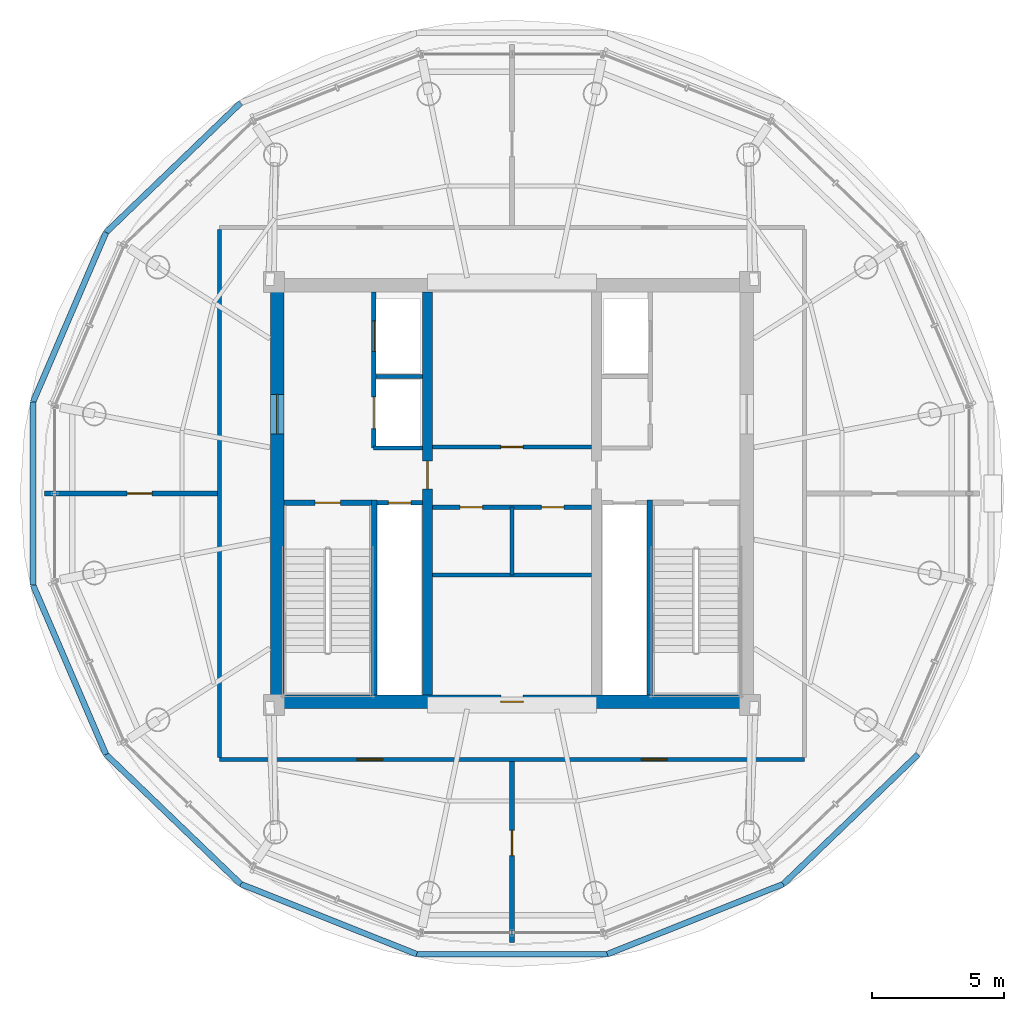
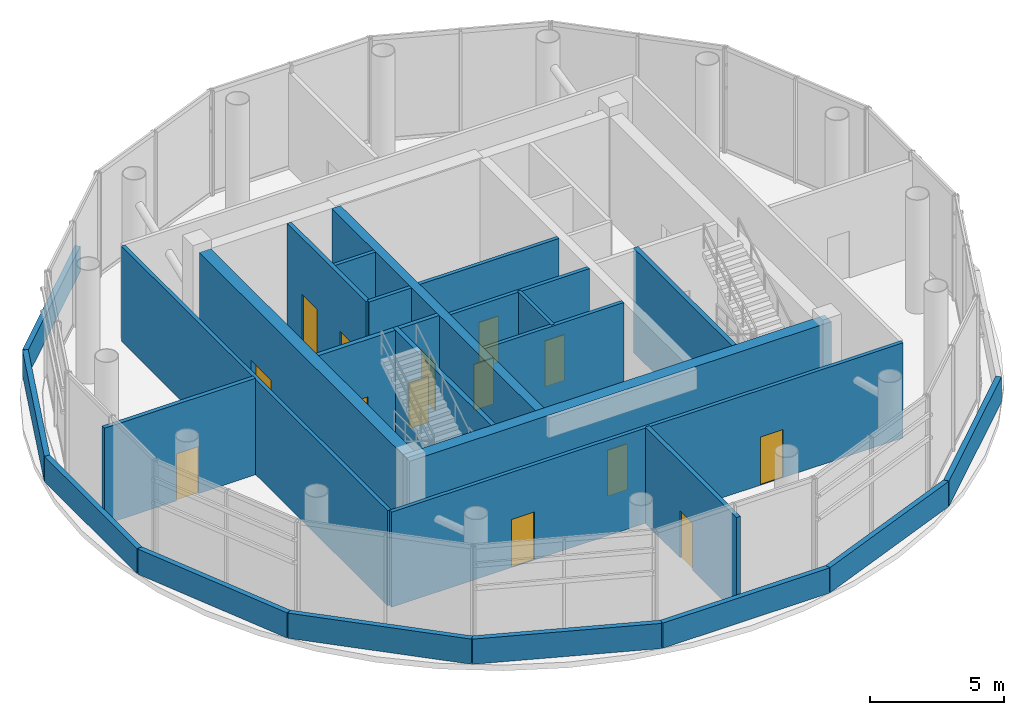
# One storey, part 11 of 15: 27 walls, 14 doors, 14 openings.
"""IFC4 building model written with IfcOpenShell, lengths in metres."""

import ifcopenshell
import ifcopenshell.guid

model = None  # the IFC model being written
_history = None  # IfcOwnerHistory: only IFC2X3 demands one
_inside = {}  # id of a spatial element -> (the spatial element, [elements in it])
_under = {}  # id of a project, library or spatial element -> (it, [spatial elements below it])
_declared = {}  # id of a project -> (the project, [libraries it declares])
_typed = {}  # id of a type object -> (the type object, [elements of that type])
_made_of = {}  # id of a material, layer set ... -> (it, [elements and type objects made of it])


def new_model(schema):
    """Start an empty IFC model of exactly this schema.

    Asked for "IFC4X3", IfcOpenShell would pick the latest addendum, in which some entities
    have other attributes; the version numbers below select the first issue.
    IFC2X3 requires an IfcOwnerHistory on every rooted entity: one is made here for all.
    """
    global model, _history
    if schema == "IFC4X3":
        model = ifcopenshell.file(schema_version=(4, 3, 0, 0))
    else:
        model = ifcopenshell.file(schema=schema)
    _inside.clear()
    _under.clear()
    _declared.clear()
    _typed.clear()
    _made_of.clear()
    _history = None
    if model.schema == "IFC2X3":
        org = make("IfcOrganization", Name="unknown")
        user = make(
            "IfcPersonAndOrganization",
            ThePerson=make("IfcPerson", FamilyName="unknown"),
            TheOrganization=org,
        )
        app = make(
            "IfcApplication",
            ApplicationDeveloper=org,
            Version="unknown",
            ApplicationFullName="unknown",
            ApplicationIdentifier="unknown",
        )
        _history = make(
            "IfcOwnerHistory",
            OwningUser=user,
            OwningApplication=app,
            ChangeAction="ADDED",
            CreationDate=0,
        )
    return model


def make(cls, **values):
    """One entity of the class cls with the attributes given. An attribute that is None is left unset."""
    return model.create_entity(
        cls, **{name: value for name, value in values.items() if value is not None}
    )


def rooted(cls, **values):
    """An entity with a GlobalId (a new one), such as an element, a storey or a relation."""
    return make(cls, GlobalId=ifcopenshell.guid.new(), OwnerHistory=_history, **values)


def si_unit(unit_type, name, prefix=None):
    """IfcSIUnit, for example si_unit("LENGTHUNIT", "METRE", prefix="MILLI")."""
    return make("IfcSIUnit", UnitType=unit_type, Prefix=prefix, Name=name)


def assignment(units):
    """IfcUnitAssignment: the units of a project."""
    return None if units is None else make("IfcUnitAssignment", Units=units)


def point(xyz):
    """IfcCartesianPoint."""
    return None if xyz is None else make("IfcCartesianPoint", Coordinates=xyz)


def direction(xyz):
    """IfcDirection."""
    return None if xyz is None else make("IfcDirection", DirectionRatios=xyz)


def frame(location, z_axis=None, x_axis=None):
    """IfcAxis2Placement3D, a coordinate frame: its origin and axes. An axis left out is left unset."""
    return make(
        "IfcAxis2Placement3D",
        Location=point(location),
        Axis=direction(z_axis),
        RefDirection=direction(x_axis),
    )


def frame_2d(location, x_axis=None):
    """IfcAxis2Placement2D, a coordinate frame in the plane: its origin and x axis."""
    return make(
        "IfcAxis2Placement2D", Location=point(location), RefDirection=direction(x_axis)
    )


def origin():
    """The frame at (0, 0, 0) with its axes left unset."""
    return frame((0.0, 0.0, 0.0))


def place(relative_to, where):
    """IfcLocalPlacement: puts the frame where relative to a parent placement (None: the world)."""
    return make(
        "IfcLocalPlacement", PlacementRelTo=relative_to, RelativePlacement=where
    )


def context(
    kind, dimensions, precision=None, world=None, true_north=None, identifier=None
):
    """IfcGeometricRepresentationContext, for example the 3D "Model" context."""
    return make(
        "IfcGeometricRepresentationContext",
        ContextIdentifier=identifier,
        ContextType=kind,
        CoordinateSpaceDimension=dimensions,
        Precision=precision,
        WorldCoordinateSystem=world,
        TrueNorth=true_north,
    )


def subcontext(parent, identifier, kind, view, scale=None):
    """IfcGeometricRepresentationSubContext, for example "Body" below "Model"."""
    return make(
        "IfcGeometricRepresentationSubContext",
        ContextIdentifier=identifier,
        ContextType=kind,
        ParentContext=parent,
        TargetScale=scale,
        TargetView=view,
    )


def project(units=None, contexts=None):
    """IfcProject with its units and contexts."""
    return rooted(
        "IfcProject",
        Name="project",
        RepresentationContexts=contexts,
        UnitsInContext=assignment(units),
    )


def spatial(cls, under=None, at=None, **own):
    """A site, building, storey or space (cls), placed at a placement, below another one or the project."""
    s = rooted(cls, ObjectPlacement=at, **own)
    if under is not None:
        _under.setdefault(under.id(), (under, []))[1].append(s)
    return s


def profile(cls, at=None, kind="AREA", **sizes):
    """A parametric profile (cls). Its sizes go by their IFC names, for example OverallWidth=200.0."""
    return make(cls, ProfileType=kind, Position=at, **sizes)


def rectangle(**sizes):
    """IfcRectangleProfileDef."""
    return profile("IfcRectangleProfileDef", **sizes)


def extrude(swept, where, along, depth):
    """IfcExtrudedAreaSolid: the profile swept, set in the frame where, extruded along a direction by depth."""
    return make(
        "IfcExtrudedAreaSolid",
        SweptArea=swept,
        Position=where,
        ExtrudedDirection=direction(along),
        Depth=depth,
    )


def shape(context_of_items, identifier, shape_type, items):
    """IfcShapeRepresentation: the items that make up one representation, for example the "Body"."""
    return make(
        "IfcShapeRepresentation",
        ContextOfItems=context_of_items,
        RepresentationIdentifier=identifier,
        RepresentationType=shape_type,
        Items=items,
    )


def source(mapping_origin, context_of_items, identifier, shape_type, items):
    """IfcRepresentationMap: a shape defined once, which mapped items show again and again."""
    return make(
        "IfcRepresentationMap",
        MappingOrigin=mapping_origin,
        MappedRepresentation=shape(context_of_items, identifier, shape_type, items),
    )


def transform(
    local_origin,
    x_axis=None,
    y_axis=None,
    z_axis=None,
    scale=None,
    scale2=None,
    scale3=None,
    uniform=True,
):
    """IfcCartesianTransformationOperator3D, or its non-uniform kind. x_axis, y_axis, z_axis: its Axis1, 2, 3."""
    if uniform:
        return make(
            "IfcCartesianTransformationOperator3D",
            Axis1=direction(x_axis),
            Axis2=direction(y_axis),
            LocalOrigin=point(local_origin),
            Scale=scale,
            Axis3=direction(z_axis),
        )
    return make(
        "IfcCartesianTransformationOperator3DnonUniform",
        Axis1=direction(x_axis),
        Axis2=direction(y_axis),
        LocalOrigin=point(local_origin),
        Scale=scale,
        Axis3=direction(z_axis),
        Scale2=scale2,
        Scale3=scale3,
    )


def mapped(mapping_source, mapping_target):
    """IfcMappedItem: shows the shape of a source again, moved by a transform."""
    return make(
        "IfcMappedItem", MappingSource=mapping_source, MappingTarget=mapping_target
    )


def material(Name=None, Category=None):
    """IfcMaterial."""
    return make("IfcMaterial", Name=Name, Category=Category)


def layer(
    of_material, thickness, ventilated=None, Name=None, Category=None, Priority=None
):
    """IfcMaterialLayer: one layer of a wall or slab, of a material (None: an air gap)."""
    return make(
        "IfcMaterialLayer",
        Material=of_material,
        LayerThickness=thickness,
        IsVentilated=ventilated,
        Name=Name,
        Category=Category,
        Priority=Priority,
    )


def layer_set(layers, Name=None):
    """IfcMaterialLayerSet."""
    return make("IfcMaterialLayerSet", MaterialLayers=layers, LayerSetName=Name)


def made_of(thing, what):
    """Note that an element or type object is made of a material, layer set ...; save() writes the relation."""
    if what is not None:
        _made_of.setdefault(what.id(), (what, []))[1].append(thing)
    return thing


def type_object(cls, material=None, **own):
    """A type object (cls), such as IfcWallType, which elements share."""
    return made_of(rooted(cls, **own), material)


def element(
    cls,
    number,
    at=None,
    inside=None,
    cuts=None,
    type_object=None,
    material=None,
    context=None,
    identifier="Body",
    shape_type=None,
    held_by="IfcProductDefinitionShape",
    body=None,
    shapes=None,
    **own,
):
    """One element of the class cls, such as IfcWall. Its Tag is "e" and its number.

    at: its placement. inside: the storey or other place that contains it. cuts: it is an
    opening in that element (IfcRelVoidsElement). A single representation is given by context,
    identifier, shape_type and body (its items); several are given by shapes. held_by: the class
    of the entity that holds the representations. save() writes the other relations.
    """
    e = rooted(cls, Tag="e%d" % number, ObjectPlacement=at, **own)
    if body is not None:
        shapes = [shape(context, identifier, shape_type, body)]
    if shapes is not None:
        e.Representation = make(held_by, Representations=shapes)
    if inside is not None:
        _inside.setdefault(inside.id(), (inside, []))[1].append(e)
    if cuts is not None:
        rooted(
            "IfcRelVoidsElement", RelatingBuildingElement=cuts, RelatedOpeningElement=e
        )
    if type_object is not None:
        _typed.setdefault(type_object.id(), (type_object, []))[1].append(e)
    return made_of(e, material)


def fill(opening, filler):
    """IfcRelFillsElement: the door or window that sits in an opening."""
    return rooted(
        "IfcRelFillsElement",
        RelatingOpeningElement=opening,
        RelatedBuildingElement=filler,
    )


def aggregate(whole, parts):
    """IfcRelAggregates: a whole, such as a stair, and the parts it consists of."""
    return rooted("IfcRelAggregates", RelatingObject=whole, RelatedObjects=parts)


def save(model, path):
    """Write the relations noted so far, then the file.

    IfcRelAggregates (storeys below a building ...), IfcRelContainedInSpatialStructure (elements
    in a storey), IfcRelDefinesByType, IfcRelAssociatesMaterial and IfcRelDeclares: one each for
    every whole, place, type object, material and project.
    """
    for whole, parts in _under.values():
        aggregate(whole, parts)
    for where, things in _inside.values():
        rooted(
            "IfcRelContainedInSpatialStructure",
            RelatedElements=things,
            RelatingStructure=where,
        )
    for kind, things in _typed.values():
        rooted("IfcRelDefinesByType", RelatedObjects=things, RelatingType=kind)
    for what, things in _made_of.values():
        rooted("IfcRelAssociatesMaterial", RelatedObjects=things, RelatingMaterial=what)
    for by, libraries in _declared.values():
        rooted("IfcRelDeclares", RelatingContext=by, RelatedDefinitions=libraries)
    model.write(path)


model = new_model("IFC4")

# Units and contexts
model_context = context("Model", 3, precision=1e-05, world=origin(), true_north=direction((-0.2419218956, 0.970295726276)))
body_context = subcontext(model_context, "Body", "Model", "MODEL_VIEW")
ifc_project = project(units=[si_unit("LENGTHUNIT", "METRE"), si_unit("AREAUNIT", "SQUARE_METRE"), si_unit("VOLUMEUNIT", "CUBIC_METRE"), si_unit("PLANEANGLEUNIT", "RADIAN"), si_unit("MASSUNIT", "GRAM", prefix="KILO")], contexts=[model_context])

# Site, building, storey
site_placement = place(None, origin())
site = spatial("IfcSite", under=ifc_project, at=site_placement, CompositionType="ELEMENT")
building_placement = place(site_placement, origin())
building = spatial("IfcBuilding", under=site, at=building_placement, Name="Cobrevalo Terracotta Tower", CompositionType="ELEMENT")
storey_placement = place(building_placement, frame((0.0, 0.0, 306.10009765625)))
storey = spatial("IfcBuildingStorey", under=building, at=storey_placement, Name="L80", CompositionType="ELEMENT", Elevation=306.10009765625)

# Wall, opening, door
ifc_material_1 = material(Name="Concrete C50", Category="concrete")
ifc_layer_1 = layer(ifc_material_1, 0.5)
ifc_layer_set_1 = layer_set([ifc_layer_1], Name="Concrete C50")
wall_type_1 = type_object("IfcWallType", Name="Crown core shear wall 500 mm Concrete C50", PredefinedType="SHEAR", material=ifc_layer_set_1)
wall_1_placement = place(storey_placement, frame((28.875, 18.925048828125, 0.0), z_axis=(0.0, 0.0, 1.0), x_axis=(1.0, 0.0, 0.0)))
wall_1 = element("IfcWall", 1, at=wall_1_placement, inside=storey, type_object=wall_type_1, Name="L80 south core shear wall", PredefinedType="SHEAR", context=body_context, shape_type="SweptSolid", body=[
    extrude(rectangle(XDim=18.25, YDim=0.5, at=frame_2d((9.125, 0.0))), origin(), (0.0, 0.0, 1.0), 4.77978515625),
])
opening_1_placement = place(wall_1_placement, frame((8.699951171875, 0.0, 0.0)))
opening_1 = element("IfcOpeningElement", 2, at=opening_1_placement, cuts=wall_1, Name="Opening ID-22", PredefinedType="OPENING", context=body_context, shape_type="SweptSolid", body=[
    extrude(rectangle(XDim=0.85009765625, YDim=2.10009765625, at=frame_2d((0.425048828125, 1.050048828125))), frame((0.0, 0.260009765625, 0.0), z_axis=(0.0, -1.0, 0.0), x_axis=(1.0, 0.0, 0.0)), (0.0, 0.0, 1.0), 0.52001953125),
])
ifc_material_2 = material(Name="Powder-coated steel", Category="steel")
door_type_1 = type_object("IfcDoorType", Name="Riser shaft & meter closet fire access door 850x2100 EI 60", OperationType="NOTDEFINED", PredefinedType="DOOR", material=ifc_material_2)
shared_shape_1 = source(origin(), body_context, "Body", "SweptSolid", [
    extrude(rectangle(XDim=0.85009765625, YDim=2.10009765625, at=frame_2d((0.425048828125, 1.050048828125))), frame((0.0, 0.02490234375, 0.0), z_axis=(0.0, -1.0, 0.0), x_axis=(1.0, 0.0, 0.0)), (0.0, 0.0, 1.0), 0.050048828125),
])
door_1_placement = place(opening_1_placement, origin())
door_1 = element("IfcDoor", 3, at=door_1_placement, inside=storey, type_object=door_type_1, Name="L80 core south plant door Crown Smoke Extract Fan Plant", OperationType="SINGLE_SWING_RIGHT", OverallHeight=2.10009765625, OverallWidth=0.85009765625, PredefinedType="DOOR", context=body_context, shape_type="MappedRepresentation", body=[
    mapped(shared_shape_1, transform((0.0, 0.0, 0.0), scale=1.0)),
])
fill(opening_1, door_1)

wall_2_placement = place(storey_placement, frame((29.125, 19.175048828125, 0.0), z_axis=(0.0, 0.0, 1.0), x_axis=(0.0, 1.0, 0.0)))
wall_2 = element("IfcWall", 4, at=wall_2_placement, inside=storey, type_object=wall_type_1, Name="L80 west core shear wall", PredefinedType="SHEAR", context=body_context, shape_type="SweptSolid", body=[
    extrude(rectangle(XDim=15.25, YDim=0.5, at=frame_2d((7.625, 0.0))), origin(), (0.0, 0.0, 1.0), 4.77978515625),
])
opening_2_placement = place(wall_2_placement, frame((9.875, 0.0, 0.0)))
opening_2 = element("IfcOpeningElement", 5, at=opening_2_placement, cuts=wall_2, Name="Opening ID-14", PredefinedType="OPENING", context=body_context, shape_type="SweptSolid", body=[
    extrude(rectangle(XDim=1.5, YDim=2.199951171875, at=frame_2d((0.75, 1.10009765625))), frame((0.0, 0.260009765625, 0.0), z_axis=(0.0, -1.0, 0.0), x_axis=(1.0, 0.0, 0.0)), (0.0, 0.0, 1.0), 0.52001953125),
])
ifc_material_3 = material(Name="Galvanized fire-rated steel", Category="steel")
door_type_2 = type_object("IfcDoorType", Name="Core cross-lobby double fire door 1500x2200 EI 90", OperationType="NOTDEFINED", PredefinedType="DOOR", material=ifc_material_3)
shared_shape_2 = source(origin(), body_context, "Body", "SweptSolid", [
    extrude(rectangle(XDim=1.5, YDim=2.199951171875, at=frame_2d((0.75, 1.10009765625))), frame((0.0, 0.02490234375, 0.0), z_axis=(0.0, -1.0, 0.0), x_axis=(1.0, 0.0, 0.0)), (0.0, 0.0, 1.0), 0.050048828125),
])
door_2_placement = place(opening_2_placement, origin())
door_2 = element("IfcDoor", 6, at=door_2_placement, inside=storey, type_object=door_type_2, Name="L80 west firefighting lobby entrance door", OperationType="DOUBLE_DOOR_SINGLE_SWING", OverallHeight=2.199951171875, OverallWidth=1.5, PredefinedType="DOOR", context=body_context, shape_type="MappedRepresentation", body=[
    mapped(shared_shape_2, transform((0.0, 0.0, 0.0), scale=1.0)),
])
fill(opening_2, door_2)

# Walls
ifc_material_4 = material(Name="Gypsum board on steel stud", Category="steel")
ifc_layer_2 = layer(ifc_material_4, 0.159912109375)
ifc_layer_set_2 = layer_set([ifc_layer_2], Name="Gypsum board on steel stud")
wall_type_2 = type_object("IfcWallType", Name="Fire-rated corridor acoustic partition wall 160 mm", PredefinedType="PARTITIONING", material=ifc_layer_set_2)
wall_3_placement = place(storey_placement, frame((32.860107421875, 31.219970703125, 0.0), z_axis=(0.0, 0.0, 1.0), x_axis=(1.0, 0.0, 0.0)))
element("IfcWall", 7, at=wall_3_placement, inside=storey, type_object=wall_type_2, Name="L80 interior partition IW-L80-FF1-M", PredefinedType="PARTITIONING", context=body_context, shape_type="SweptSolid", body=[
    extrude(rectangle(XDim=1.75, YDim=0.159912109375, at=frame_2d((0.875, 0.0))), origin(), (0.0, 0.0, 1.0), 4.77978515625),
])
wall_4_placement = place(storey_placement, frame((32.77001953125, 28.52001953125, 0.0), z_axis=(0.0, 0.0, 1.0), x_axis=(1.0, 0.0, 0.0)))
element("IfcWall", 8, at=wall_4_placement, inside=storey, type_object=wall_type_2, Name="L80 interior partition IW-L80-FF1-S", PredefinedType="PARTITIONING", context=body_context, shape_type="SweptSolid", body=[
    extrude(rectangle(XDim=1.840087890625, YDim=0.159912109375, at=frame_2d((0.919921875, 0.0))), origin(), (0.0, 0.0, 1.0), 4.77978515625),
])

# Wall, opening, door
wall_5_placement = place(storey_placement, frame((34.989990234375, 28.56005859375, 0.0), z_axis=(0.0, 0.0, 1.0), x_axis=(1.0, 0.0, 0.0)))
wall_5 = element("IfcWall", 9, at=wall_5_placement, inside=storey, type_object=wall_type_2, Name="L80 interior partition IW-L80-LB-S", PredefinedType="PARTITIONING", context=body_context, shape_type="SweptSolid", body=[
    extrude(rectangle(XDim=6.02001953125, YDim=0.159912109375, at=frame_2d((3.010009765625, 0.0))), origin(), (0.0, 0.0, 1.0), 4.77978515625),
])
opening_3_placement = place(wall_5_placement, frame((2.5849609375, 0.0, 0.0)))
opening_3 = element("IfcOpeningElement", 10, at=opening_3_placement, cuts=wall_5, Name="Opening ID-22", PredefinedType="OPENING", context=body_context, shape_type="SweptSolid", body=[
    extrude(rectangle(XDim=0.85009765625, YDim=2.10009765625, at=frame_2d((0.425048828125, 1.050048828125))), frame((0.0, 0.08984375, 0.0), z_axis=(0.0, -1.0, 0.0), x_axis=(1.0, 0.0, 0.0)), (0.0, 0.0, 1.0), 0.179931640625),
])
door_3_placement = place(opening_3_placement, origin())
door_3 = element("IfcDoor", 11, at=door_3_placement, inside=storey, type_object=door_type_1, Name="L80 core service door Crown HV Switchroom Plant", OperationType="SINGLE_SWING_LEFT", OverallHeight=2.10009765625, OverallWidth=0.85009765625, PredefinedType="DOOR", context=body_context, shape_type="MappedRepresentation", body=[
    mapped(shared_shape_1, transform((0.0, 0.0, 0.0), scale=1.0)),
])
fill(opening_3, door_3)

# Wall, openings, doors
wall_6_placement = place(storey_placement, frame((34.989990234375, 26.280029296875, 0.0), z_axis=(0.0, 0.0, 1.0), x_axis=(1.0, 0.0, 0.0)))
wall_6 = element("IfcWall", 12, at=wall_6_placement, inside=storey, type_object=wall_type_2, Name="L80 interior partition IW-L80-MB-N", PredefinedType="PARTITIONING", context=body_context, shape_type="SweptSolid", body=[
    extrude(rectangle(XDim=6.02001953125, YDim=0.159912109375, at=frame_2d((3.010009765625, 0.0))), origin(), (0.0, 0.0, 1.0), 4.77978515625),
])
opening_4_placement = place(wall_6_placement, frame((1.044921875, 0.0, 0.0)))
opening_4 = element("IfcOpeningElement", 13, at=opening_4_placement, cuts=wall_6, Name="Opening ID-22", PredefinedType="OPENING", context=body_context, shape_type="SweptSolid", body=[
    extrude(rectangle(XDim=0.85009765625, YDim=2.10009765625, at=frame_2d((0.425048828125, 1.050048828125))), frame((0.0, 0.08984375, 0.0), z_axis=(0.0, -1.0, 0.0), x_axis=(1.0, 0.0, 0.0)), (0.0, 0.0, 1.0), 0.179931640625),
])
opening_5_placement = place(wall_6_placement, frame((4.125, 0.0, 0.0)))
opening_5 = element("IfcOpeningElement", 14, at=opening_5_placement, cuts=wall_6, Name="Opening ID-22", PredefinedType="OPENING", context=body_context, shape_type="SweptSolid", body=[
    extrude(rectangle(XDim=0.85009765625, YDim=2.10009765625, at=frame_2d((0.425048828125, 1.050048828125))), frame((0.0, 0.08984375, 0.0), z_axis=(0.0, -1.0, 0.0), x_axis=(1.0, 0.0, 0.0)), (0.0, 0.0, 1.0), 0.179931640625),
])
door_4_placement = place(opening_4_placement, frame((0.85009765625, 0.0, 0.0), z_axis=(0.0, 0.0, 1.0), x_axis=(-1.0, 0.0, 0.0)))
door_4 = element("IfcDoor", 15, at=door_4_placement, inside=storey, type_object=door_type_1, Name="L80 core room door Crown Chilled Water Pump Plant", OperationType="SINGLE_SWING_RIGHT", OverallHeight=2.10009765625, OverallWidth=0.85009765625, PredefinedType="DOOR", context=body_context, shape_type="MappedRepresentation", body=[
    mapped(shared_shape_1, transform((0.0, 0.0, 0.0), scale=1.0)),
])
fill(opening_4, door_4)
door_5_placement = place(opening_5_placement, frame((0.85009765625, 0.0, 0.0), z_axis=(0.0, 0.0, 1.0), x_axis=(-1.0, 0.0, 0.0)))
door_5 = element("IfcDoor", 16, at=door_5_placement, inside=storey, type_object=door_type_1, Name="L80 core room door Crown Lift Motor Mechanical Plant", OperationType="SINGLE_SWING_RIGHT", OverallHeight=2.10009765625, OverallWidth=0.85009765625, PredefinedType="DOOR", context=body_context, shape_type="MappedRepresentation", body=[
    mapped(shared_shape_1, transform((0.0, 0.0, 0.0), scale=1.0)),
])
fill(opening_5, door_5)

# Wall
wall_7_placement = place(storey_placement, frame((34.989990234375, 23.719970703125, 0.0), z_axis=(0.0, 0.0, 1.0), x_axis=(1.0, 0.0, 0.0)))
element("IfcWall", 17, at=wall_7_placement, inside=storey, type_object=wall_type_2, Name="L80 interior partition IW-L80-MB-S", PredefinedType="PARTITIONING", context=body_context, shape_type="SweptSolid", body=[
    extrude(rectangle(XDim=6.02001953125, YDim=0.159912109375, at=frame_2d((3.010009765625, 0.0))), origin(), (0.0, 0.0, 1.0), 4.77978515625),
])

# Wall, openings, doors
wall_8_placement = place(storey_placement, frame((26.945068359375, 16.7451171875, 0.0), z_axis=(0.0, 0.0, 1.0), x_axis=(1.0, 0.0, 0.0)))
wall_8 = element("IfcWall", 18, at=wall_8_placement, inside=storey, type_object=wall_type_2, Name="L80 interior partition IW-L80-COR-S", PredefinedType="PARTITIONING", context=body_context, shape_type="SweptSolid", body=[
    extrude(rectangle(XDim=22.10986328125, YDim=0.159912109375, at=frame_2d((11.054931640625, 0.0))), origin(), (0.0, 0.0, 1.0), 4.351806640625),
])
opening_6_placement = place(wall_8_placement, frame((5.18701171875, 0.0, 0.0)))
opening_6 = element("IfcOpeningElement", 19, at=opening_6_placement, cuts=wall_8, Name="Opening ID-05", PredefinedType="OPENING", context=body_context, shape_type="SweptSolid", body=[
    extrude(rectangle(XDim=0.97998046875, YDim=2.199951171875, at=frame_2d((0.489990234375, 1.10009765625))), frame((0.0, 0.08984375, 0.0), z_axis=(0.0, -1.0, 0.0), x_axis=(1.0, 0.0, 0.0)), (0.0, 0.0, 1.0), 0.179931640625),
])
opening_7_placement = place(wall_8_placement, frame((15.943115234375, 0.0, 0.0)))
opening_7 = element("IfcOpeningElement", 20, at=opening_7_placement, cuts=wall_8, Name="Opening ID-05", PredefinedType="OPENING", context=body_context, shape_type="SweptSolid", body=[
    extrude(rectangle(XDim=0.97998046875, YDim=2.199951171875, at=frame_2d((0.489990234375, 1.10009765625))), frame((0.0, 0.08984375, 0.0), z_axis=(0.0, -1.0, 0.0), x_axis=(1.0, 0.0, 0.0)), (0.0, 0.0, 1.0), 0.179931640625),
])
ifc_material_5 = material(Name="Solid hardwood timber", Category="wood")
door_type_3 = type_object("IfcDoorType", Name="Residence entrance fire-rated acoustic timber door 980x2200 EI 60", OperationType="NOTDEFINED", PredefinedType="DOOR", material=ifc_material_5)
shared_shape_3 = source(origin(), body_context, "Body", "SweptSolid", [
    extrude(rectangle(XDim=0.97998046875, YDim=2.199951171875, at=frame_2d((0.489990234375, 1.10009765625))), frame((0.0, 0.02490234375, 0.0), z_axis=(0.0, -1.0, 0.0), x_axis=(1.0, 0.0, 0.0)), (0.0, 0.0, 1.0), 0.050048828125),
])
door_6_placement = place(opening_6_placement, origin())
door_6 = element("IfcDoor", 21, at=door_6_placement, inside=storey, type_object=door_type_3, Name="L80 Crown Water Tank Room door", OperationType="SINGLE_SWING_LEFT", OverallHeight=2.199951171875, OverallWidth=0.97998046875, PredefinedType="DOOR", context=body_context, shape_type="MappedRepresentation", body=[
    mapped(shared_shape_3, transform((0.0, 0.0, 0.0), scale=1.0)),
])
fill(opening_6, door_6)
door_7_placement = place(opening_7_placement, origin())
door_7 = element("IfcDoor", 22, at=door_7_placement, inside=storey, type_object=door_type_3, Name="L80 Crown Switchroom Plant door", OperationType="SINGLE_SWING_RIGHT", OverallHeight=2.199951171875, OverallWidth=0.97998046875, PredefinedType="DOOR", context=body_context, shape_type="MappedRepresentation", body=[
    mapped(shared_shape_3, transform((0.0, 0.0, 0.0), scale=1.0)),
])
fill(opening_7, door_7)

# Wall
wall_9_placement = place(storey_placement, frame((26.945068359375, 16.824951171875, 0.0), z_axis=(0.0, 0.0, 1.0), x_axis=(0.0, 1.0, 0.0)))
element("IfcWall", 23, at=wall_9_placement, inside=storey, type_object=wall_type_2, Name="L80 interior partition IW-L80-COR-W", PredefinedType="PARTITIONING", context=body_context, shape_type="SweptSolid", body=[
    extrude(rectangle(XDim=19.949951171875, YDim=0.159912109375, at=frame_2d((9.97509765625, 0.0))), origin(), (0.0, 0.0, 1.0), 4.351806640625),
])

# Wall, opening, door
ifc_layer_3 = layer(ifc_material_4, 0.179931640625)
ifc_layer_set_3 = layer_set([ifc_layer_3], Name="Gypsum board on steel stud")
wall_type_3 = type_object("IfcWallType", Name="Fire-rated shaft & lobby acoustic partition wall 180 mm", PredefinedType="PARTITIONING", material=ifc_layer_set_3)
wall_10_placement = place(storey_placement, frame((32.89990234375, 26.449951171875, 0.0), z_axis=(0.0, 0.0, 1.0), x_axis=(1.0, 0.0, 0.0)))
wall_10 = element("IfcWall", 24, at=wall_10_placement, inside=storey, type_object=wall_type_3, Name="L80 interior partition IW-L80-RSW-N", PredefinedType="PARTITIONING", context=body_context, shape_type="SweptSolid", body=[
    extrude(rectangle(XDim=1.710205078125, YDim=0.179931640625, at=frame_2d((0.85498046875, 0.0))), origin(), (0.0, 0.0, 1.0), 4.77978515625),
])
opening_8_placement = place(wall_10_placement, frame((0.429931640625, 0.0, 0.0)))
opening_8 = element("IfcOpeningElement", 25, at=opening_8_placement, cuts=wall_10, Name="Opening ID-22", PredefinedType="OPENING", context=body_context, shape_type="SweptSolid", body=[
    extrude(rectangle(XDim=0.85009765625, YDim=2.10009765625, at=frame_2d((0.425048828125, 1.050048828125))), frame((0.0, 0.10009765625, 0.0), z_axis=(0.0, -1.0, 0.0), x_axis=(1.0, 0.0, 0.0)), (0.0, 0.0, 1.0), 0.199951171875),
])
door_8_placement = place(opening_8_placement, origin())
door_8 = element("IfcDoor", 26, at=door_8_placement, inside=storey, type_object=door_type_1, Name="L80 riser access door RSW", OperationType="SINGLE_SWING_LEFT", OverallHeight=2.10009765625, OverallWidth=0.85009765625, PredefinedType="DOOR", context=body_context, shape_type="MappedRepresentation", body=[
    mapped(shared_shape_1, transform((0.0, 0.0, 0.0), scale=1.0)),
])
fill(opening_8, door_8)

# Wall, openings, doors
wall_11_placement = place(storey_placement, frame((32.77001953125, 28.52001953125, 0.0), z_axis=(0.0, 0.0, 1.0), x_axis=(0.0, 1.0, 0.0)))
wall_11 = element("IfcWall", 27, at=wall_11_placement, inside=storey, type_object=wall_type_3, Name="L80 interior partition IW-L80-FF1-W", PredefinedType="PARTITIONING", context=body_context, shape_type="SweptSolid", body=[
    extrude(rectangle(XDim=5.905029296875, YDim=0.179931640625, at=frame_2d((2.95263671875, 0.0))), origin(), (0.0, 0.0, 1.0), 4.77978515625),
])
opening_9_placement = place(wall_11_placement, frame((3.655029296875, 0.0, 0.0)))
opening_9 = element("IfcOpeningElement", 28, at=opening_9_placement, cuts=wall_11, Name="Opening LD-02", PredefinedType="OPENING", context=body_context, shape_type="SweptSolid", body=[
    extrude(rectangle(XDim=1.14990234375, YDim=2.199951171875, at=frame_2d((0.574951171875, 1.10009765625))), frame((0.0, 0.10009765625, 0.0), z_axis=(0.0, -1.0, 0.0), x_axis=(1.0, 0.0, 0.0)), (0.0, 0.0, 1.0), 0.199951171875),
])
opening_10_placement = place(wall_11_placement, frame((0.72998046875, 0.0, 0.0)))
opening_10 = element("IfcOpeningElement", 29, at=opening_10_placement, cuts=wall_11, Name="Opening LD-03", PredefinedType="OPENING", context=body_context, shape_type="SweptSolid", body=[
    extrude(rectangle(XDim=1.199951171875, YDim=2.25, at=frame_2d((0.60009765625, 1.125))), frame((0.0, 0.10009765625, 0.0), z_axis=(0.0, -1.0, 0.0), x_axis=(1.0, 0.0, 0.0)), (0.0, 0.0, 1.0), 0.199951171875),
])
ifc_material_6 = material(Name="Brushed stainless steel", Category="steel")
door_type_4 = type_object("IfcDoorType", Name="Firefighting lift landing bi-parting sliding door 1150x2200 EI 120", OperationType="DOUBLE_DOOR_SLIDING", PredefinedType="DOOR", material=ifc_material_6)
shared_shape_4 = source(origin(), body_context, "Body", "SweptSolid", [
    extrude(rectangle(XDim=1.14990234375, YDim=2.199951171875, at=frame_2d((0.574951171875, 1.10009765625))), frame((0.0, 0.02490234375, 0.0), z_axis=(0.0, -1.0, 0.0), x_axis=(1.0, 0.0, 0.0)), (0.0, 0.0, 1.0), 0.050048828125),
])
door_9_placement = place(opening_9_placement, origin())
door_9 = element("IfcDoor", 30, at=door_9_placement, inside=storey, type_object=door_type_4, Name="L80 lift landing door FF-1", OperationType="DOUBLE_DOOR_SLIDING", OverallHeight=2.199951171875, OverallWidth=1.14990234375, PredefinedType="DOOR", context=body_context, shape_type="MappedRepresentation", body=[
    mapped(shared_shape_4, transform((0.0, 0.0, 0.0), scale=1.0)),
])
fill(opening_9, door_9)
door_type_5 = type_object("IfcDoorType", Name="Service lift landing bi-parting sliding door 1200x2250 EI 120", OperationType="DOUBLE_DOOR_SLIDING", PredefinedType="DOOR", material=ifc_material_6)
shared_shape_5 = source(origin(), body_context, "Body", "SweptSolid", [
    extrude(rectangle(XDim=1.199951171875, YDim=2.25, at=frame_2d((0.60009765625, 1.125))), frame((0.0, 0.02490234375, 0.0), z_axis=(0.0, -1.0, 0.0), x_axis=(1.0, 0.0, 0.0)), (0.0, 0.0, 1.0), 0.050048828125),
])
door_10_placement = place(opening_10_placement, origin())
door_10 = element("IfcDoor", 31, at=door_10_placement, inside=storey, type_object=door_type_5, Name="L80 lift landing door SV-1", OperationType="DOUBLE_DOOR_SLIDING", OverallHeight=2.25, OverallWidth=1.199951171875, PredefinedType="DOOR", context=body_context, shape_type="MappedRepresentation", body=[
    mapped(shared_shape_5, transform((0.0, 0.0, 0.0), scale=1.0)),
])
fill(opening_10, door_10)

# Wall, opening, door
wall_12_placement = place(storey_placement, frame((26.863037109375, 26.800048828125, 0.0), z_axis=(0.0, 0.0, 1.0), x_axis=(-1.0, 0.0, 0.0)))
wall_12 = element("IfcWall", 32, at=wall_12_placement, inside=storey, type_object=wall_type_3, Name="L80 interior partition IW-L80-CW3", PredefinedType="PARTITIONING", context=body_context, shape_type="SweptSolid", body=[
    extrude(rectangle(XDim=6.532958984375, YDim=0.179931640625, at=frame_2d((3.2666015625, 0.0))), origin(), (0.0, 0.0, 1.0), 4.410888671875),
])
opening_11_placement = place(wall_12_placement, frame((2.46484375, 0.0, 0.0)))
opening_11 = element("IfcOpeningElement", 33, at=opening_11_placement, cuts=wall_12, Name="Opening ID-04", PredefinedType="OPENING", context=body_context, shape_type="SweptSolid", body=[
    extrude(rectangle(XDim=0.949951171875, YDim=2.14990234375, at=frame_2d((0.47509765625, 1.074951171875))), frame((0.0, 0.10009765625, 0.0), z_axis=(0.0, -1.0, 0.0), x_axis=(1.0, 0.0, 0.0)), (0.0, 0.0, 1.0), 0.199951171875),
])
door_type_6 = type_object("IfcDoorType", Name="Stair & firefighting lobby fire door 950x2150 EI 90", OperationType="NOTDEFINED", PredefinedType="DOOR", material=ifc_material_3)
shared_shape_6 = source(origin(), body_context, "Body", "SweptSolid", [
    extrude(rectangle(XDim=0.949951171875, YDim=2.14990234375, at=frame_2d((0.47509765625, 1.074951171875))), frame((0.0, 0.02490234375, 0.0), z_axis=(0.0, -1.0, 0.0), x_axis=(1.0, 0.0, 0.0)), (0.0, 0.0, 1.0), 0.050048828125),
])
door_11_placement = place(opening_11_placement, origin())
door_11 = element("IfcDoor", 34, at=door_11_placement, inside=storey, type_object=door_type_6, Name="L80 crown plant interconnecting fire door 3", OperationType="SINGLE_SWING_LEFT", OverallHeight=2.14990234375, OverallWidth=0.949951171875, PredefinedType="DOOR", context=body_context, shape_type="MappedRepresentation", body=[
    mapped(shared_shape_6, transform((0.0, 0.0, 0.0), scale=1.0)),
])
fill(opening_11, door_11)

wall_13_placement = place(storey_placement, frame((38.0, 16.6630859375, 0.0), z_axis=(0.0, 0.0, 1.0), x_axis=(0.0, -1.0, 0.0)))
wall_13 = element("IfcWall", 35, at=wall_13_placement, inside=storey, type_object=wall_type_3, Name="L80 interior partition IW-L80-CW4", PredefinedType="PARTITIONING", context=body_context, shape_type="SweptSolid", body=[
    extrude(rectangle(XDim=6.8330078125, YDim=0.179931640625, at=frame_2d((3.41650390625, 0.0))), origin(), (0.0, 0.0, 1.0), 4.410888671875),
])
opening_12_placement = place(wall_13_placement, frame((2.599853515625, 0.0, 0.0)))
opening_12 = element("IfcOpeningElement", 36, at=opening_12_placement, cuts=wall_13, Name="Opening ID-04", PredefinedType="OPENING", context=body_context, shape_type="SweptSolid", body=[
    extrude(rectangle(XDim=0.949951171875, YDim=2.14990234375, at=frame_2d((0.47509765625, 1.074951171875))), frame((0.0, 0.10009765625, 0.0), z_axis=(0.0, -1.0, 0.0), x_axis=(1.0, 0.0, 0.0)), (0.0, 0.0, 1.0), 0.199951171875),
])
door_12_placement = place(opening_12_placement, origin())
door_12 = element("IfcDoor", 37, at=door_12_placement, inside=storey, type_object=door_type_6, Name="L80 crown plant interconnecting fire door 4", OperationType="SINGLE_SWING_LEFT", OverallHeight=2.14990234375, OverallWidth=0.949951171875, PredefinedType="DOOR", context=body_context, shape_type="MappedRepresentation", body=[
    mapped(shared_shape_6, transform((0.0, 0.0, 0.0), scale=1.0)),
])
fill(opening_12, door_12)

ifc_layer_4 = layer(ifc_material_1, 0.3798828125)
ifc_layer_set_4 = layer_set([ifc_layer_4], Name="Concrete C50")
wall_type_4 = type_object("IfcWallType", Name="Internal core shear web wall 380 mm Concrete C50", PredefinedType="SHEAR", material=ifc_layer_set_4)
wall_14_placement = place(storey_placement, frame((34.800048828125, 19.175048828125, 0.0), z_axis=(0.0, 0.0, 1.0), x_axis=(0.0, 1.0, 0.0)))
wall_14 = element("IfcWall", 38, at=wall_14_placement, inside=storey, type_object=wall_type_4, Name="L80 internal core shear wall WEB-W", PredefinedType="SHEAR", context=body_context, shape_type="SweptSolid", body=[
    extrude(rectangle(XDim=15.25, YDim=0.3798828125, at=frame_2d((7.625, 0.0))), origin(), (0.0, 0.0, 1.0), 4.77978515625),
])
opening_13_placement = place(wall_14_placement, frame((7.800048828125, 0.0, 0.0)))
opening_13 = element("IfcOpeningElement", 39, at=opening_13_placement, cuts=wall_14, Name="Opening ID-11", PredefinedType="OPENING", context=body_context, shape_type="SweptSolid", body=[
    extrude(rectangle(XDim=1.050048828125, YDim=2.14990234375, at=frame_2d((0.52490234375, 1.074951171875))), frame((0.0, 0.199951171875, 0.0), z_axis=(0.0, -1.0, 0.0), x_axis=(1.0, 0.0, 0.0)), (0.0, 0.0, 1.0), 0.39990234375),
])
door_type_7 = type_object("IfcDoorType", Name="Core concourse cross fire door 1050x2150 EI 90", OperationType="NOTDEFINED", PredefinedType="DOOR", material=ifc_material_3)
shared_shape_7 = source(origin(), body_context, "Body", "SweptSolid", [
    extrude(rectangle(XDim=1.050048828125, YDim=2.14990234375, at=frame_2d((0.52490234375, 1.074951171875))), frame((0.0, 0.02490234375, 0.0), z_axis=(0.0, -1.0, 0.0), x_axis=(1.0, 0.0, 0.0)), (0.0, 0.0, 1.0), 0.050048828125),
])
door_13_placement = place(opening_13_placement, origin())
door_13 = element("IfcDoor", 40, at=door_13_placement, inside=storey, type_object=door_type_7, Name="L80 west core concourse cross door", OperationType="SINGLE_SWING_LEFT", OverallHeight=2.14990234375, OverallWidth=1.050048828125, PredefinedType="DOOR", context=body_context, shape_type="MappedRepresentation", body=[
    mapped(shared_shape_7, transform((0.0, 0.0, 0.0), scale=1.0)),
])
fill(opening_13, door_13)

# Walls
ifc_material_7 = material(Name="Autoclaved aerated concrete block", Category="concrete")
ifc_layer_5 = layer(ifc_material_7, 0.139892578125)
ifc_layer_set_5 = layer_set([ifc_layer_5], Name="Autoclaved aerated concrete block")
wall_type_5 = type_object("IfcWallType", Name="Moisture-resistant wet-room & core service partition 140 mm", PredefinedType="PARTITIONING", material=ifc_layer_set_5)
wall_15_placement = place(storey_placement, frame((38.0, 23.719970703125, 0.0), z_axis=(0.0, 0.0, 1.0), x_axis=(0.0, 1.0, 0.0)))
element("IfcWall", 41, at=wall_15_placement, inside=storey, type_object=wall_type_5, Name="L80 interior partition IW-L80-MB-D2", PredefinedType="PARTITIONING", context=body_context, shape_type="SweptSolid", body=[
    extrude(rectangle(XDim=2.56005859375, YDim=0.139892578125, at=frame_2d((1.280029296875, 0.0))), origin(), (0.0, 0.0, 1.0), 4.77978515625),
])
ifc_material_8 = material(Name="Precast concrete C45", Category="concrete")
ifc_layer_6 = layer(ifc_material_8, 0.219970703125)
ifc_layer_set_6 = layer_set([ifc_layer_6], Name="Precast concrete C45")
wall_type_6 = type_object("IfcWallType", Name="Precast concrete roof and setback terrace parapet wall 220 mm", PredefinedType="PARAPET", material=ifc_layer_set_6)
wall_16_placement = place(storey_placement, frame((27.744140625, 41.56689453125, 0.0), z_axis=(0.0, 0.0, 1.0), x_axis=(-0.720637211965, -0.693312345723, 0.0)))
element("IfcWall", 42, at=wall_16_placement, inside=storey, type_object=wall_type_6, Name="L80 crown step-back parapet 06", PredefinedType="PARAPET", context=body_context, shape_type="SweptSolid", body=[
    extrude(rectangle(XDim=7.0673828125, YDim=0.219970703125, at=frame_2d((3.53369140625, 0.0))), origin(), (0.0, 0.0, 1.0), 1.14990234375),
])
wall_17_placement = place(storey_placement, frame((22.651123046875, 36.6669921875, 0.0), z_axis=(0.0, 0.0, 1.0), x_axis=(-0.39544480712, -0.918489741109, 0.0)))
element("IfcWall", 43, at=wall_17_placement, inside=storey, type_object=wall_type_6, Name="L80 crown step-back parapet 07", PredefinedType="PARAPET", context=body_context, shape_type="SweptSolid", body=[
    extrude(rectangle(XDim=6.97021484375, YDim=0.219970703125, at=frame_2d((3.485107421875, 0.0))), origin(), (0.0, 0.0, 1.0), 1.14990234375),
])
wall_18_placement = place(storey_placement, frame((19.894775390625, 30.264892578125, 0.0), z_axis=(0.0, 0.0, 1.0), x_axis=(0.0, -1.0, 0.0)))
element("IfcWall", 44, at=wall_18_placement, inside=storey, type_object=wall_type_6, Name="L80 crown step-back parapet 08", PredefinedType="PARAPET", context=body_context, shape_type="SweptSolid", body=[
    extrude(rectangle(XDim=6.9296875, YDim=0.219970703125, at=frame_2d((3.46484375, 0.0))), origin(), (0.0, 0.0, 1.0), 1.14990234375),
])
wall_19_placement = place(storey_placement, frame((19.894775390625, 23.335205078125, 0.0), z_axis=(0.0, 0.0, 1.0), x_axis=(0.39544480712, -0.918489741109, 0.0)))
element("IfcWall", 45, at=wall_19_placement, inside=storey, type_object=wall_type_6, Name="L80 crown step-back parapet 09", PredefinedType="PARAPET", context=body_context, shape_type="SweptSolid", body=[
    extrude(rectangle(XDim=6.97021484375, YDim=0.219970703125, at=frame_2d((3.485107421875, 0.0))), origin(), (0.0, 0.0, 1.0), 1.14990234375),
])
wall_20_placement = place(storey_placement, frame((22.651123046875, 16.93310546875, 0.0), z_axis=(0.0, 0.0, 1.0), x_axis=(0.720637211965, -0.693312345723, 0.0)))
element("IfcWall", 46, at=wall_20_placement, inside=storey, type_object=wall_type_6, Name="L80 crown step-back parapet 10", PredefinedType="PARAPET", context=body_context, shape_type="SweptSolid", body=[
    extrude(rectangle(XDim=7.0673828125, YDim=0.219970703125, at=frame_2d((3.53369140625, 0.0))), origin(), (0.0, 0.0, 1.0), 1.14990234375),
])
wall_21_placement = place(storey_placement, frame((27.744140625, 12.033203125, 0.0), z_axis=(0.0, 0.0, 1.0), x_axis=(0.928955406434, -0.370191643419, 0.0)))
element("IfcWall", 47, at=wall_21_placement, inside=storey, type_object=wall_type_6, Name="L80 crown step-back parapet 11", PredefinedType="PARAPET", context=body_context, shape_type="SweptSolid", body=[
    extrude(rectangle(XDim=7.16357421875, YDim=0.219970703125, at=frame_2d((3.581787109375, 0.0))), origin(), (0.0, 0.0, 1.0), 1.14990234375),
])
wall_22_placement = place(storey_placement, frame((34.398681640625, 9.38134765625, 0.0), z_axis=(0.0, 0.0, 1.0), x_axis=(1.0, 0.0, 0.0)))
element("IfcWall", 48, at=wall_22_placement, inside=storey, type_object=wall_type_6, Name="L80 crown step-back parapet 12", PredefinedType="PARAPET", context=body_context, shape_type="SweptSolid", body=[
    extrude(rectangle(XDim=7.20263671875, YDim=0.219970703125, at=frame_2d((3.601318359375, 0.0))), origin(), (0.0, 0.0, 1.0), 1.14990234375),
])
wall_23_placement = place(storey_placement, frame((41.601318359375, 9.38134765625, 0.0), z_axis=(0.0, 0.0, 1.0), x_axis=(0.928955406434, 0.370191643419, 0.0)))
element("IfcWall", 49, at=wall_23_placement, inside=storey, type_object=wall_type_6, Name="L80 crown step-back parapet 13", PredefinedType="PARAPET", context=body_context, shape_type="SweptSolid", body=[
    extrude(rectangle(XDim=7.16357421875, YDim=0.219970703125, at=frame_2d((3.581787109375, 0.0))), origin(), (0.0, 0.0, 1.0), 1.14990234375),
])
wall_24_placement = place(storey_placement, frame((48.255859375, 12.033203125, 0.0), z_axis=(0.0, 0.0, 1.0), x_axis=(0.720637211965, 0.693312345723, 0.0)))
element("IfcWall", 50, at=wall_24_placement, inside=storey, type_object=wall_type_6, Name="L80 crown step-back parapet 14", PredefinedType="PARAPET", context=body_context, shape_type="SweptSolid", body=[
    extrude(rectangle(XDim=7.0673828125, YDim=0.219970703125, at=frame_2d((3.53369140625, 0.0))), origin(), (0.0, 0.0, 1.0), 1.14990234375),
])
ifc_layer_7 = layer(ifc_material_1, 0.199951171875)
ifc_layer_set_7 = layer_set([ifc_layer_7], Name="Concrete C50")
wall_type_7 = type_object("IfcWallType", Name="Structural core & podium stair-shaft RC wall 200 mm Concrete C50", PredefinedType="SOLIDWALL", material=ifc_layer_set_7)
wall_25_placement = place(storey_placement, frame((32.794921875, 19.175048828125, 0.0), z_axis=(0.0, 0.0, 1.0), x_axis=(0.0, 1.0, 0.0)))
element("IfcWall", 51, at=wall_25_placement, inside=storey, type_object=wall_type_7, Name="L80 ST-1 east structural shaft wall", PredefinedType="SOLIDWALL", context=body_context, shape_type="SweptSolid", body=[
    extrude(rectangle(XDim=7.375, YDim=0.199951171875, at=frame_2d((3.6875, 0.0))), origin(), (0.0, 0.0, 1.0), 4.77978515625),
])

# Wall, opening, door
wall_26_placement = place(storey_placement, frame((29.375, 26.449951171875, 0.0), z_axis=(0.0, 0.0, 1.0), x_axis=(1.0, 0.0, 0.0)))
wall_26 = element("IfcWall", 52, at=wall_26_placement, inside=storey, type_object=wall_type_7, Name="L80 ST-1 north structural shaft wall", PredefinedType="SOLIDWALL", context=body_context, shape_type="SweptSolid", body=[
    extrude(rectangle(XDim=3.320068359375, YDim=0.199951171875, at=frame_2d((1.66015625, 0.0))), origin(), (0.0, 0.0, 1.0), 4.77978515625),
])
opening_14_placement = place(wall_26_placement, frame((1.18505859375, 0.0, 0.0)))
opening_14 = element("IfcOpeningElement", 53, at=opening_14_placement, cuts=wall_26, Name="Opening ID-04", PredefinedType="OPENING", context=body_context, shape_type="SweptSolid", body=[
    extrude(rectangle(XDim=0.949951171875, YDim=2.14990234375, at=frame_2d((0.47509765625, 1.074951171875))), frame((0.0, 0.10986328125, 0.0), z_axis=(0.0, -1.0, 0.0), x_axis=(1.0, 0.0, 0.0)), (0.0, 0.0, 1.0), 0.219970703125),
])
door_14_placement = place(opening_14_placement, origin())
door_14 = element("IfcDoor", 54, at=door_14_placement, inside=storey, type_object=door_type_6, Name="L80 protected stair ST1 fire door", OperationType="SINGLE_SWING_LEFT", OverallHeight=2.14990234375, OverallWidth=0.949951171875, PredefinedType="DOOR", context=body_context, shape_type="MappedRepresentation", body=[
    mapped(shared_shape_6, transform((0.0, 0.0, 0.0), scale=1.0)),
])
fill(opening_14, door_14)

# Wall
wall_27_placement = place(storey_placement, frame((43.205078125, 19.175048828125, 0.0), z_axis=(0.0, 0.0, 1.0), x_axis=(0.0, 1.0, 0.0)))
element("IfcWall", 55, at=wall_27_placement, inside=storey, type_object=wall_type_7, Name="L80 ST-2 west structural shaft wall", PredefinedType="SOLIDWALL", context=body_context, shape_type="SweptSolid", body=[
    extrude(rectangle(XDim=7.375, YDim=0.199951171875, at=frame_2d((3.6875, 0.0))), origin(), (0.0, 0.0, 1.0), 4.77978515625),
])

save(model, "model.ifc")
